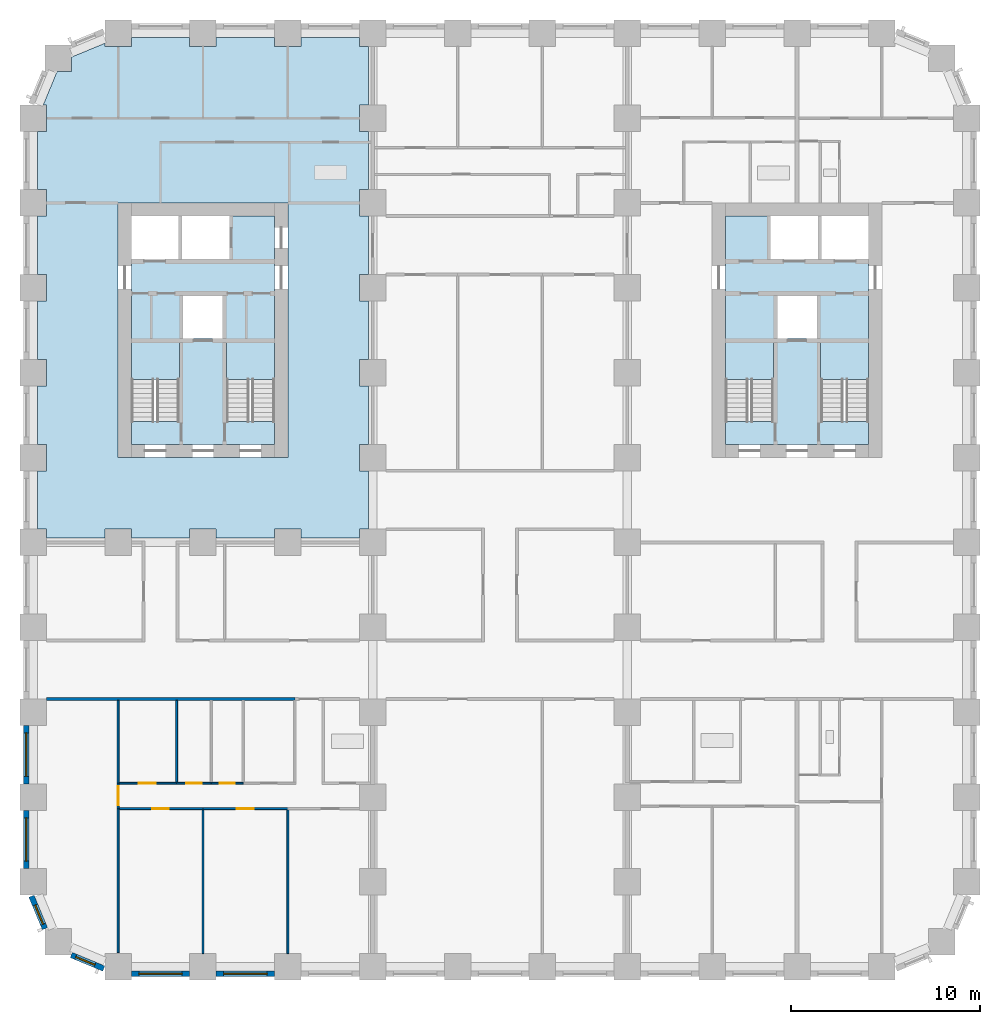
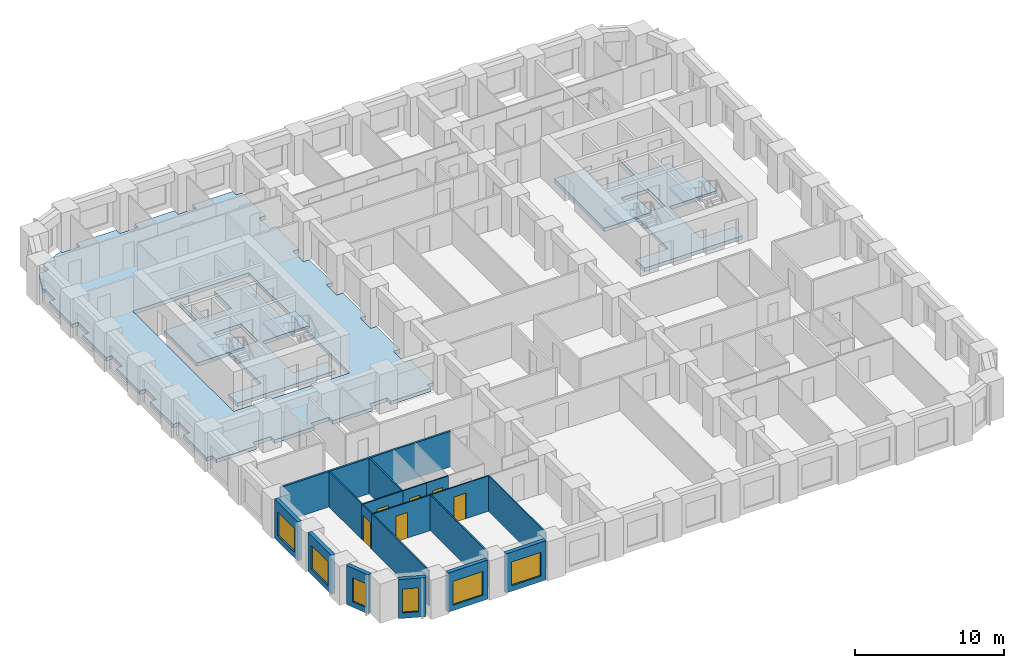
# One storey, part 2 of 13: 18 walls, 7 slabs, 6 doors, 6 windows, 12 openings, 4 elements without a shape of their own.
"""IFC4 building model written with IfcOpenShell, lengths in metres."""

from ifc_helpers import new_model, si_unit, direction, frame, frame_2d, origin, place, context, subcontext, project, spatial, polyline, rectangle, outline, extrude, material, layer, layer_set, type_object, element, fill, aggregate, save


model = new_model("IFC4")

# Units and contexts
model_context = context("Model", 3, precision=1e-05, world=origin(), true_north=direction((0.0, 1.0)))
body_context = subcontext(model_context, "Body", "Model", "MODEL_VIEW")
ifc_project = project(units=[si_unit("LENGTHUNIT", "METRE"), si_unit("AREAUNIT", "SQUARE_METRE"), si_unit("VOLUMEUNIT", "CUBIC_METRE"), si_unit("PLANEANGLEUNIT", "RADIAN"), si_unit("MASSUNIT", "GRAM", prefix="KILO")], contexts=[model_context])

# Site, building, storey
site_placement = place(None, origin())
site = spatial("IfcSite", under=ifc_project, at=site_placement, CompositionType="ELEMENT")
building_placement = place(site_placement, origin())
building = spatial("IfcBuilding", under=site, at=building_placement, Name="Girih Gate Residences", CompositionType="ELEMENT")
storey_placement = place(building_placement, frame((0.0, 0.0, 46.39990234375)))
storey = spatial("IfcBuildingStorey", under=building, at=storey_placement, Name="L11", CompositionType="ELEMENT", Elevation=46.39990234375)

# Slabs
ifc_material_1 = material(Name="Concrete C40/50", Category="concrete")
ifc_layer_1 = layer(ifc_material_1, 0.300048828125)
ifc_layer_set_1 = layer_set([ifc_layer_1], Name="Core floor slab 300")
slab_type_1 = type_object("IfcSlabType", Name="Core floor slab 300", PredefinedType="FLOOR", material=ifc_layer_set_1)
slab_1_placement = place(storey_placement, frame((0.0, 0.0, -0.2998046875)))
element("IfcSlab", 1, at=slab_1_placement, inside=storey, type_object=slab_type_1, Name="L11 W core floor", PredefinedType="FLOOR", context=body_context, shape_type="SweptSolid", body=[
    extrude(outline(polyline([(12.800048828125, 27.699951171875), (5.199951171875, 27.699951171875), (5.199951171875, 28.900634765625), (7.75, 28.900634765625), (7.75, 33.10009765625), (5.199951171875, 33.10009765625), (5.199951171875, 37.5), (7.699951171875, 37.5), (7.699951171875, 39.800048828125), (7.89990234375, 39.800048828125), (7.89990234375, 37.5), (10.39990234375, 37.5), (10.39990234375, 39.800048828125), (12.800048828125, 39.800048828125), (12.800048828125, 33.10009765625), (10.25, 33.10009765625), (10.25, 28.900634765625), (12.800048828125, 28.900634765625), (12.800048828125, 27.699951171875)]), holes=[polyline([(7.949951171875, 33.300048828125), (10.050048828125, 33.300048828125), (10.050048828125, 35.60009765625), (7.949951171875, 35.60009765625), (7.949951171875, 33.300048828125)])]), origin(), (0.0, 0.0, 1.0), 0.2998046875),
])
slab_2_placement = place(storey_placement, frame((0.0, 0.0, -0.2998046875)))
element("IfcSlab", 2, at=slab_2_placement, inside=storey, type_object=slab_type_1, Name="L11 E core floor", PredefinedType="FLOOR", context=body_context, shape_type="SweptSolid", body=[
    extrude(outline(polyline([(44.300048828125, 27.699951171875), (36.699951171875, 27.699951171875), (36.699951171875, 28.900634765625), (39.25, 28.900634765625), (39.25, 33.10009765625), (36.699951171875, 33.10009765625), (36.699951171875, 39.800048828125), (39.10009765625, 39.800048828125), (39.10009765625, 37.5), (41.60009765625, 37.5), (41.60009765625, 39.800048828125), (41.800048828125, 39.800048828125), (41.800048828125, 37.5), (44.300048828125, 37.5), (44.300048828125, 33.10009765625), (41.75, 33.10009765625), (41.75, 28.900634765625), (44.300048828125, 28.900634765625), (44.300048828125, 27.699951171875)]), holes=[polyline([(39.449951171875, 33.300048828125), (41.550048828125, 33.300048828125), (41.550048828125, 35.60009765625), (39.449951171875, 35.60009765625), (39.449951171875, 33.300048828125)])]), origin(), (0.0, 0.0, 1.0), 0.2998046875),
])
ifc_layer_2 = layer(ifc_material_1, 0.300048828125)
ifc_layer_set_2 = layer_set([ifc_layer_2], Name="Floor slab PT 300 Concrete C40/50")
slab_type_2 = type_object("IfcSlabType", Name="Floor slab PT 300 Concrete C40/50", PredefinedType="FLOOR", material=ifc_layer_set_2)
slab_3_placement = place(storey_placement, frame((0.0, 0.0, -0.2998046875)))
element("IfcSlab", 3, at=slab_3_placement, inside=storey, type_object=slab_type_2, Name="Floor slab L11 3", PredefinedType="FLOOR", context=body_context, shape_type="SweptSolid", body=[
    extrude(outline(polyline([(0.22509765625, 26.300048828125), (0.22509765625, 23.199951171875), (0.699951171875, 23.199951171875), (0.699951171875, 22.72509765625), (3.800048828125, 22.72509765625), (3.800048828125, 23.199951171875), (5.199951171875, 23.199951171875), (5.199951171875, 22.72509765625), (8.300048828125, 22.72509765625), (8.300048828125, 23.199951171875), (9.699951171875, 23.199951171875), (9.699951171875, 22.72509765625), (12.800048828125, 22.72509765625), (12.800048828125, 23.199951171875), (14.199951171875, 23.199951171875), (14.199951171875, 22.72509765625), (17.300048828125, 22.72509765625), (17.300048828125, 23.199951171875), (17.77490234375, 23.199951171875), (17.77490234375, 26.300048828125), (17.300048828125, 26.300048828125), (17.300048828125, 27.699951171875), (17.77490234375, 27.699951171875), (17.77490234375, 30.800048828125), (17.300048828125, 30.800048828125), (17.300048828125, 32.199951171875), (17.77490234375, 32.199951171875), (17.77490234375, 35.300048828125), (17.300048828125, 35.300048828125), (17.300048828125, 36.699951171875), (17.77490234375, 36.699951171875), (17.77490234375, 39.800048828125), (17.300048828125, 39.800048828125), (17.300048828125, 41.199951171875), (17.77490234375, 41.199951171875), (17.77490234375, 44.300048828125), (17.300048828125, 44.300048828125), (17.300048828125, 45.699951171875), (17.77490234375, 45.699951171875), (17.77490234375, 48.800048828125), (17.300048828125, 48.800048828125), (17.300048828125, 49.27490234375), (14.199951171875, 49.27490234375), (14.199951171875, 48.800048828125), (12.800048828125, 48.800048828125), (12.800048828125, 49.27490234375), (9.699951171875, 49.27490234375), (9.699951171875, 48.800048828125), (8.300048828125, 48.800048828125), (8.300048828125, 49.27490234375), (5.199951171875, 49.27490234375), (5.199951171875, 48.800048828125), (3.800048828125, 48.800048828125), (3.800048828125, 48.966552734375), (2.01806640625, 48.228271484375), (2.01806640625, 47.48193359375), (1.271728515625, 47.48193359375), (0.533447265625, 45.699951171875), (0.699951171875, 45.699951171875), (0.699951171875, 44.300048828125), (0.22509765625, 44.300048828125), (0.22509765625, 41.199951171875), (0.699951171875, 41.199951171875), (0.699951171875, 39.800048828125), (0.22509765625, 39.800048828125), (0.22509765625, 36.699951171875), (0.699951171875, 36.699951171875), (0.699951171875, 35.300048828125), (0.22509765625, 35.300048828125), (0.22509765625, 32.199951171875), (0.699951171875, 32.199951171875), (0.699951171875, 30.800048828125), (0.22509765625, 30.800048828125), (0.22509765625, 27.699951171875), (0.699951171875, 27.699951171875), (0.699951171875, 26.300048828125), (0.22509765625, 26.300048828125)]), holes=[polyline([(13.5, 40.5), (13.5, 27.0), (4.5, 27.0), (4.5, 40.5), (13.5, 40.5)])]), origin(), (0.0, 0.0, 1.0), 0.2998046875),
])

# Stair, slab
stair_type = type_object("IfcStairType", Name="Exit stair", PredefinedType="HALF_TURN_STAIR", material=ifc_material_1)
stair_1_placement = place(storey_placement, origin())
stair_1 = element("IfcStair", 4, at=stair_1_placement, inside=storey, type_object=stair_type, Name="L11 Exit Stair ST-W1", PredefinedType="HALF_TURN_STAIR")
ifc_layer_3 = layer(ifc_material_1, 0.199951171875)
ifc_layer_set_3 = layer_set([ifc_layer_3], Name="Stair landing 200")
slab_type_3 = type_object("IfcSlabType", Name="Stair landing 200", PredefinedType="LANDING", material=ifc_layer_set_3)
slab_4_placement = place(storey_placement, frame((0.0, 0.0, 1.400146484375)))
slab_4 = element("IfcSlab", 5, at=slab_4_placement, type_object=slab_type_3, Name="ST-W1 landing 1", PredefinedType="LANDING", context=body_context, shape_type="SweptSolid", body=[
    extrude(outline(polyline([(7.75, 31.14990234375), (7.75, 33.10009765625), (5.199951171875, 33.10009765625), (5.199951171875, 31.14990234375), (7.75, 31.14990234375)])), origin(), (0.0, 0.0, 1.0), 0.199951171875),
])
aggregate(stair_1, [slab_4])

stair_2_placement = place(storey_placement, origin())
stair_2 = element("IfcStair", 6, at=stair_2_placement, inside=storey, type_object=stair_type, Name="L11 Exit Stair ST-W2", PredefinedType="HALF_TURN_STAIR")
slab_5_placement = place(storey_placement, frame((0.0, 0.0, 1.400146484375)))
slab_5 = element("IfcSlab", 7, at=slab_5_placement, type_object=slab_type_3, Name="ST-W2 landing 1", PredefinedType="LANDING", context=body_context, shape_type="SweptSolid", body=[
    extrude(outline(polyline([(12.800048828125, 31.14990234375), (12.800048828125, 33.10009765625), (10.25, 33.10009765625), (10.25, 31.14990234375), (12.800048828125, 31.14990234375)])), origin(), (0.0, 0.0, 1.0), 0.199951171875),
])
aggregate(stair_2, [slab_5])

stair_3_placement = place(storey_placement, origin())
stair_3 = element("IfcStair", 8, at=stair_3_placement, inside=storey, type_object=stair_type, Name="L11 Exit Stair ST-E1", PredefinedType="HALF_TURN_STAIR")
slab_6_placement = place(storey_placement, frame((0.0, 0.0, 1.400146484375)))
slab_6 = element("IfcSlab", 9, at=slab_6_placement, type_object=slab_type_3, Name="ST-E1 landing 1", PredefinedType="LANDING", context=body_context, shape_type="SweptSolid", body=[
    extrude(outline(polyline([(44.300048828125, 31.14990234375), (44.300048828125, 33.10009765625), (41.75, 33.10009765625), (41.75, 31.14990234375), (44.300048828125, 31.14990234375)])), origin(), (0.0, 0.0, 1.0), 0.199951171875),
])
aggregate(stair_3, [slab_6])

stair_4_placement = place(storey_placement, origin())
stair_4 = element("IfcStair", 10, at=stair_4_placement, inside=storey, type_object=stair_type, Name="L11 Exit Stair ST-E2", PredefinedType="HALF_TURN_STAIR")
slab_7_placement = place(storey_placement, frame((0.0, 0.0, 1.400146484375)))
slab_7 = element("IfcSlab", 11, at=slab_7_placement, type_object=slab_type_3, Name="ST-E2 landing 1", PredefinedType="LANDING", context=body_context, shape_type="SweptSolid", body=[
    extrude(outline(polyline([(39.25, 31.14990234375), (39.25, 33.10009765625), (36.699951171875, 33.10009765625), (36.699951171875, 31.14990234375), (39.25, 31.14990234375)])), origin(), (0.0, 0.0, 1.0), 0.199951171875),
])
aggregate(stair_4, [slab_7])

# Walls
ifc_material_2 = material(Name="Gypsum board on steel studs", Category="steel")
ifc_layer_4 = layer(ifc_material_2, 0.14990234375)
ifc_layer_set_4 = layer_set([ifc_layer_4], Name="Compartment wall 150 mm")
wall_type_1 = type_object("IfcWallType", Name="Compartment wall 150 mm", PredefinedType="PARTITIONING", material=ifc_layer_set_4)
wall_1_placement = place(storey_placement, frame((0.699951171875, 14.199951171875, 0.0), z_axis=(0.0, 0.0, 1.0), x_axis=(1.0, 0.0, 0.0)))
element("IfcWall", 12, at=wall_1_placement, inside=storey, type_object=wall_type_1, Name="L11 partition", PredefinedType="PARTITIONING", context=body_context, shape_type="SweptSolid", body=[
    extrude(rectangle(XDim=13.175048828125, YDim=0.14990234375, at=frame_2d((6.58740234375, 0.0))), origin(), (0.0, 0.0, 1.0), 2.900146484375),
])
ifc_layer_5 = layer(ifc_material_2, 0.10009765625)
ifc_layer_set_5 = layer_set([ifc_layer_5], Name="Partition 100 mm")
wall_type_2 = type_object("IfcWallType", Name="Partition 100 mm", PredefinedType="PARTITIONING", material=ifc_layer_set_5)
wall_2_placement = place(storey_placement, frame((9.0, 0.699951171875, 0.0), z_axis=(0.0, 0.0, 1.0), x_axis=(0.0, 1.0, 0.0)))
element("IfcWall", 13, at=wall_2_placement, inside=storey, type_object=wall_type_2, Name="L11 partition", PredefinedType="PARTITIONING", context=body_context, shape_type="SweptSolid", body=[
    extrude(rectangle(XDim=7.64013671875, YDim=0.10009765625, at=frame_2d((3.820068359375, 0.0))), origin(), (0.0, 0.0, 1.0), 2.900146484375),
])

# Wall, opening, door
wall_3_placement = place(storey_placement, frame((9.0, 8.389892578125, 0.0), z_axis=(0.0, 0.0, 1.0), x_axis=(-1.0, 0.0, 0.0)))
wall_3 = element("IfcWall", 14, at=wall_3_placement, inside=storey, type_object=wall_type_2, Name="L11 partition", PredefinedType="PARTITIONING", context=body_context, shape_type="SweptSolid", body=[
    extrude(rectangle(XDim=4.449951171875, YDim=0.10009765625, at=frame_2d((2.22509765625, 0.0))), origin(), (0.0, 0.0, 1.0), 2.900146484375),
])
opening_1_placement = place(wall_3_placement, frame((1.800048828125, 0.0, 0.0)))
opening_1 = element("IfcOpeningElement", 15, at=opening_1_placement, cuts=wall_3, Name="Opening A11-002", PredefinedType="OPENING", context=body_context, shape_type="SweptSolid", body=[
    extrude(rectangle(XDim=0.89990234375, YDim=2.10009765625, at=frame_2d((0.449951171875, 1.050048828125))), frame((0.0, 0.06005859375, 0.0), z_axis=(0.0, -1.0, 0.0), x_axis=(1.0, 0.0, 0.0)), (0.0, 0.0, 1.0), 0.1201171875),
])
ifc_material_3 = material(Name="Timber", Category="wood")
door_type_1 = type_object("IfcDoorType", Name="Bedroom door 900x2100", OperationType="NOTDEFINED", PredefinedType="DOOR", material=ifc_material_3)
door_1_placement = place(opening_1_placement, origin())
door_1 = element("IfcDoor", 16, at=door_1_placement, inside=storey, type_object=door_type_1, Name="Door A11-002", OperationType="SINGLE_SWING_RIGHT", OverallHeight=2.10009765625, OverallWidth=0.89990234375, PredefinedType="DOOR", context=body_context, shape_type="SweptSolid", body=[
    extrude(rectangle(XDim=0.89990234375, YDim=2.10009765625, at=frame_2d((0.449951171875, 1.050048828125))), frame((0.0, 0.02490234375, 0.0), z_axis=(0.0, -1.0, 0.0), x_axis=(1.0, 0.0, 0.0)), (0.0, 0.0, 1.0), 0.050048828125),
])
fill(opening_1, door_1)

# Walls
wall_4_placement = place(storey_placement, frame((4.5, 0.757568359375, 0.0), z_axis=(0.0, 0.0, 1.0), x_axis=(0.0, 1.0, 0.0)))
element("IfcWall", 17, at=wall_4_placement, inside=storey, type_object=wall_type_2, Name="L11 partition", PredefinedType="PARTITIONING", context=body_context, shape_type="SweptSolid", body=[
    extrude(rectangle(XDim=7.63232421875, YDim=0.10009765625, at=frame_2d((3.816162109375, 0.0))), origin(), (0.0, 0.0, 1.0), 2.900146484375),
])
wall_5_placement = place(storey_placement, frame((13.5, 0.699951171875, 0.0), z_axis=(0.0, 0.0, 1.0), x_axis=(0.0, 1.0, 0.0)))
element("IfcWall", 18, at=wall_5_placement, inside=storey, type_object=wall_type_2, Name="L11 partition", PredefinedType="PARTITIONING", context=body_context, shape_type="SweptSolid", body=[
    extrude(rectangle(XDim=7.64013671875, YDim=0.10009765625, at=frame_2d((3.820068359375, 0.0))), origin(), (0.0, 0.0, 1.0), 2.900146484375),
])

# Wall, opening, door
wall_6_placement = place(storey_placement, frame((13.5, 8.389892578125, 0.0), z_axis=(0.0, 0.0, 1.0), x_axis=(-1.0, 0.0, 0.0)))
wall_6 = element("IfcWall", 19, at=wall_6_placement, inside=storey, type_object=wall_type_2, Name="L11 partition", PredefinedType="PARTITIONING", context=body_context, shape_type="SweptSolid", body=[
    extrude(rectangle(XDim=4.5, YDim=0.10009765625, at=frame_2d((2.25, 0.0))), origin(), (0.0, 0.0, 1.0), 2.900146484375),
])
opening_2_placement = place(wall_6_placement, frame((1.800048828125, 0.0, 0.0)))
opening_2 = element("IfcOpeningElement", 20, at=opening_2_placement, cuts=wall_6, Name="Opening A11-003", PredefinedType="OPENING", context=body_context, shape_type="SweptSolid", body=[
    extrude(rectangle(XDim=0.89990234375, YDim=2.10009765625, at=frame_2d((0.449951171875, 1.050048828125))), frame((0.0, 0.06005859375, 0.0), z_axis=(0.0, -1.0, 0.0), x_axis=(1.0, 0.0, 0.0)), (0.0, 0.0, 1.0), 0.1201171875),
])
door_2_placement = place(opening_2_placement, origin())
door_2 = element("IfcDoor", 21, at=door_2_placement, inside=storey, type_object=door_type_1, Name="Door A11-003", OperationType="SINGLE_SWING_LEFT", OverallHeight=2.10009765625, OverallWidth=0.89990234375, PredefinedType="DOOR", context=body_context, shape_type="SweptSolid", body=[
    extrude(rectangle(XDim=0.89990234375, YDim=2.10009765625, at=frame_2d((0.449951171875, 1.050048828125))), frame((0.0, 0.02490234375, 0.0), z_axis=(0.0, -1.0, 0.0), x_axis=(1.0, 0.0, 0.0)), (0.0, 0.0, 1.0), 0.050048828125),
])
fill(opening_2, door_2)

wall_7_placement = place(storey_placement, frame((4.550048828125, 9.72998046875, 0.0), z_axis=(0.0, 0.0, 1.0), x_axis=(1.0, 0.0, 0.0)))
wall_7 = element("IfcWall", 22, at=wall_7_placement, inside=storey, type_object=wall_type_2, Name="L11 partition", PredefinedType="PARTITIONING", context=body_context, shape_type="SweptSolid", body=[
    extrude(rectangle(XDim=3.056640625, YDim=0.10009765625, at=frame_2d((1.5283203125, 0.0))), origin(), (0.0, 0.0, 1.0), 2.900146484375),
])
opening_3_placement = place(wall_7_placement, frame((1.05322265625, 0.0, 0.0)))
opening_3 = element("IfcOpeningElement", 23, at=opening_3_placement, cuts=wall_7, Name="Opening A11-006", PredefinedType="OPENING", context=body_context, shape_type="SweptSolid", body=[
    extrude(rectangle(XDim=0.89990234375, YDim=2.10009765625, at=frame_2d((0.449951171875, 1.050048828125))), frame((0.0, 0.06005859375, 0.0), z_axis=(0.0, -1.0, 0.0), x_axis=(1.0, 0.0, 0.0)), (0.0, 0.0, 1.0), 0.1201171875),
])
door_type_2 = type_object("IfcDoorType", Name="Kitchen door 900x2100", OperationType="NOTDEFINED", PredefinedType="DOOR", material=ifc_material_3)
door_3_placement = place(opening_3_placement, origin())
door_3 = element("IfcDoor", 24, at=door_3_placement, inside=storey, type_object=door_type_2, Name="Door A11-006", OperationType="SINGLE_SWING_LEFT", OverallHeight=2.10009765625, OverallWidth=0.89990234375, PredefinedType="DOOR", context=body_context, shape_type="SweptSolid", body=[
    extrude(rectangle(XDim=0.89990234375, YDim=2.10009765625, at=frame_2d((0.449951171875, 1.050048828125))), frame((0.0, 0.02490234375, 0.0), z_axis=(0.0, -1.0, 0.0), x_axis=(1.0, 0.0, 0.0)), (0.0, 0.0, 1.0), 0.050048828125),
])
fill(opening_3, door_3)

wall_8_placement = place(storey_placement, frame((4.5, 8.389892578125, 0.0), z_axis=(0.0, 0.0, 1.0), x_axis=(0.0, 1.0, 0.0)))
wall_8 = element("IfcWall", 25, at=wall_8_placement, inside=storey, type_object=wall_type_2, Name="L11 partition", PredefinedType="PARTITIONING", context=body_context, shape_type="SweptSolid", body=[
    extrude(rectangle(XDim=1.340087890625, YDim=0.10009765625, at=frame_2d((0.669921875, 0.0))), origin(), (0.0, 0.0, 1.0), 2.900146484375),
])
opening_4_placement = place(wall_8_placement, frame((0.169921875, 0.0, 0.0)))
opening_4 = element("IfcOpeningElement", 26, at=opening_4_placement, cuts=wall_8, Name="Opening A11-007", PredefinedType="OPENING", context=body_context, shape_type="SweptSolid", body=[
    extrude(rectangle(XDim=1.0, YDim=2.10009765625, at=frame_2d((0.5, 1.050048828125))), frame((0.0, 0.06005859375, 0.0), z_axis=(0.0, -1.0, 0.0), x_axis=(1.0, 0.0, 0.0)), (0.0, 0.0, 1.0), 0.1201171875),
])
door_type_3 = type_object("IfcDoorType", Name="Living room door 1000x2100", OperationType="NOTDEFINED", PredefinedType="DOOR", material=ifc_material_3)
door_4_placement = place(opening_4_placement, origin())
door_4 = element("IfcDoor", 27, at=door_4_placement, inside=storey, type_object=door_type_3, Name="Door A11-007", OperationType="SINGLE_SWING_RIGHT", OverallHeight=2.10009765625, OverallWidth=1.0, PredefinedType="DOOR", context=body_context, shape_type="SweptSolid", body=[
    extrude(rectangle(XDim=1.0, YDim=2.10009765625, at=frame_2d((0.5, 1.050048828125))), frame((0.0, 0.02490234375, 0.0), z_axis=(0.0, -1.0, 0.0), x_axis=(1.0, 0.0, 0.0)), (0.0, 0.0, 1.0), 0.050048828125),
])
fill(opening_4, door_4)

wall_9_placement = place(storey_placement, frame((9.4423828125, 9.72998046875, 0.0), z_axis=(0.0, 0.0, 1.0), x_axis=(1.0, 0.0, 0.0)))
wall_9 = element("IfcWall", 28, at=wall_9_placement, inside=storey, type_object=wall_type_2, Name="L11 partition", PredefinedType="PARTITIONING", context=body_context, shape_type="SweptSolid", body=[
    extrude(rectangle(XDim=1.689453125, YDim=0.10009765625, at=frame_2d((0.8447265625, 0.0))), origin(), (0.0, 0.0, 1.0), 2.900146484375),
])
opening_5_placement = place(wall_9_placement, frame((0.44482421875, 0.0, 0.0)))
opening_5 = element("IfcOpeningElement", 29, at=opening_5_placement, cuts=wall_9, Name="Opening A11-008", PredefinedType="OPENING", context=body_context, shape_type="SweptSolid", body=[
    extrude(rectangle(XDim=0.800048828125, YDim=2.10009765625, at=frame_2d((0.39990234375, 1.050048828125))), frame((0.0, 0.06005859375, 0.0), z_axis=(0.0, -1.0, 0.0), x_axis=(1.0, 0.0, 0.0)), (0.0, 0.0, 1.0), 0.1201171875),
])
door_type_4 = type_object("IfcDoorType", Name="Store door 800x2100", OperationType="NOTDEFINED", PredefinedType="DOOR", material=ifc_material_3)
door_5_placement = place(opening_5_placement, origin())
door_5 = element("IfcDoor", 30, at=door_5_placement, inside=storey, type_object=door_type_4, Name="Door A11-008", OperationType="SINGLE_SWING_LEFT", OverallHeight=2.10009765625, OverallWidth=0.800048828125, PredefinedType="DOOR", context=body_context, shape_type="SweptSolid", body=[
    extrude(rectangle(XDim=0.800048828125, YDim=2.10009765625, at=frame_2d((0.39990234375, 1.050048828125))), frame((0.0, 0.02490234375, 0.0), z_axis=(0.0, -1.0, 0.0), x_axis=(1.0, 0.0, 0.0)), (0.0, 0.0, 1.0), 0.050048828125),
])
fill(opening_5, door_5)

wall_10_placement = place(storey_placement, frame((7.606689453125, 9.72998046875, 0.0), z_axis=(0.0, 0.0, 1.0), x_axis=(1.0, 0.0, 0.0)))
wall_10 = element("IfcWall", 31, at=wall_10_placement, inside=storey, type_object=wall_type_2, Name="L11 partition", PredefinedType="PARTITIONING", context=body_context, shape_type="SweptSolid", body=[
    extrude(rectangle(XDim=1.835693359375, YDim=0.10009765625, at=frame_2d((0.91796875, 0.0))), origin(), (0.0, 0.0, 1.0), 2.900146484375),
])
opening_6_placement = place(wall_10_placement, frame((0.517822265625, 0.0, 0.0)))
opening_6 = element("IfcOpeningElement", 32, at=opening_6_placement, cuts=wall_10, Name="Opening A11-009", PredefinedType="OPENING", context=body_context, shape_type="SweptSolid", body=[
    extrude(rectangle(XDim=0.800048828125, YDim=2.10009765625, at=frame_2d((0.39990234375, 1.050048828125))), frame((0.0, 0.06005859375, 0.0), z_axis=(0.0, -1.0, 0.0), x_axis=(1.0, 0.0, 0.0)), (0.0, 0.0, 1.0), 0.1201171875),
])
door_6_placement = place(opening_6_placement, origin())
door_6 = element("IfcDoor", 33, at=door_6_placement, inside=storey, type_object=door_type_4, Name="Door A11-009", OperationType="SINGLE_SWING_RIGHT", OverallHeight=2.10009765625, OverallWidth=0.800048828125, PredefinedType="DOOR", context=body_context, shape_type="SweptSolid", body=[
    extrude(rectangle(XDim=0.800048828125, YDim=2.10009765625, at=frame_2d((0.39990234375, 1.050048828125))), frame((0.0, 0.02490234375, 0.0), z_axis=(0.0, -1.0, 0.0), x_axis=(1.0, 0.0, 0.0)), (0.0, 0.0, 1.0), 0.050048828125),
])
fill(opening_6, door_6)

# Walls
wall_11_placement = place(storey_placement, frame((4.5, 9.72998046875, 0.0), z_axis=(0.0, 0.0, 1.0), x_axis=(0.0, 1.0, 0.0)))
element("IfcWall", 34, at=wall_11_placement, inside=storey, type_object=wall_type_2, Name="L11 partition", PredefinedType="PARTITIONING", context=body_context, shape_type="SweptSolid", body=[
    extrude(rectangle(XDim=4.39501953125, YDim=0.10009765625, at=frame_2d((2.197509765625, 0.0))), origin(), (0.0, 0.0, 1.0), 2.900146484375),
])
wall_12_placement = place(storey_placement, frame((7.60693359375, 9.780029296875, 0.0), z_axis=(0.0, 0.0, 1.0), x_axis=(0.0, 1.0, 0.0)))
element("IfcWall", 35, at=wall_12_placement, inside=storey, type_object=wall_type_2, Name="L11 partition", PredefinedType="PARTITIONING", context=body_context, shape_type="SweptSolid", body=[
    extrude(rectangle(XDim=4.344970703125, YDim=0.10009765625, at=frame_2d((2.17236328125, 0.0))), origin(), (0.0, 0.0, 1.0), 2.900146484375),
])

# Wall, opening, window
ifc_material_4 = material(Name="Precast concrete C50/60", Category="concrete")
ifc_layer_6 = layer(ifc_material_4, 0.080078125, Name="Outer leaf")
ifc_material_5 = material(Name="Rigid PIR insulation")
ifc_layer_7 = layer(ifc_material_5, 0.14990234375, Name="Insulation")
ifc_material_6 = material(Name="Precast concrete C40/50", Category="concrete")
ifc_layer_8 = layer(ifc_material_6, 0.070068359375, Name="Inner leaf")
ifc_layer_set_6 = layer_set([ifc_layer_6, ifc_layer_7, ifc_layer_8], Name="Precast concrete C50/60 external wall 300")
wall_type_3 = type_object("IfcWallType", Name="Precast concrete C50/60 external wall 300", PredefinedType="SOLIDWALL", material=ifc_layer_set_6)
wall_13_placement = place(storey_placement, frame((0.62158203125, 2.01953125, 0.0), z_axis=(0.0, 0.0, 1.0), x_axis=(-0.38262540684, 0.923903565336, 0.0)))
wall_13 = element("IfcWall", 36, at=wall_13_placement, inside=storey, type_object=wall_type_3, Name="External wall SW0000_0045.0", PredefinedType="SOLIDWALL", context=body_context, shape_type="SweptSolid", body=[
    extrude(rectangle(XDim=1.864990234375, YDim=0.300048828125, at=frame_2d((0.9326171875, 0.0))), origin(), (0.0, 0.0, 1.0), 3.2001953125),
])
opening_7_placement = place(wall_13_placement, frame((0.257568359375, 0.0, 0.449951171875)))
opening_7 = element("IfcOpeningElement", 37, at=opening_7_placement, cuts=wall_13, Name="Opening W-2C", PredefinedType="OPENING", context=body_context, shape_type="SweptSolid", body=[
    extrude(rectangle(XDim=1.10009765625, YDim=1.949951171875, at=frame_2d((0.550048828125, 0.97509765625))), frame((0.0, 0.159912109375, 0.0), z_axis=(0.0, -1.0, 0.0), x_axis=(1.0, 0.0, 0.0)), (0.0, 0.0, 1.0), 0.320068359375),
])
ifc_material_7 = material(Name="Double glazing in aluminium frame", Category="aluminium")
window_type_1 = type_object("IfcWindowType", Name="Window W-2C 1100x1950", PartitioningType="SINGLE_PANEL", PredefinedType="WINDOW", material=ifc_material_7)
window_1_placement = place(opening_7_placement, origin())
window_1 = element("IfcWindow", 38, at=window_1_placement, inside=storey, type_object=window_type_1, Name="Window W-2C SW0000_0045.0", OverallHeight=1.949951171875, OverallWidth=1.10009765625, PartitioningType="SINGLE_PANEL", PredefinedType="WINDOW", context=body_context, shape_type="SweptSolid", body=[
    extrude(rectangle(XDim=1.10009765625, YDim=1.949951171875, at=frame_2d((0.550048828125, 0.97509765625))), frame((0.0, 0.030029296875, 0.0), z_axis=(0.0, -1.0, 0.0), x_axis=(1.0, 0.0, 0.0)), (0.0, 0.0, 1.0), 0.06005859375),
])
fill(opening_7, window_1)

wall_14_placement = place(storey_placement, frame((3.74267578125, -0.09228515625, 0.0), z_axis=(0.0, 0.0, 1.0), x_axis=(-0.923857286003, 0.382737135771, 0.0)))
wall_14 = element("IfcWall", 39, at=wall_14_placement, inside=storey, type_object=wall_type_3, Name="External wall SW0013_0013.0", PredefinedType="SOLIDWALL", context=body_context, shape_type="SweptSolid", body=[
    extrude(rectangle(XDim=1.865234375, YDim=0.300048828125, at=frame_2d((0.9326171875, 0.0))), origin(), (0.0, 0.0, 1.0), 3.2001953125),
])
opening_8_placement = place(wall_14_placement, frame((0.507568359375, 0.0, 0.449951171875)))
opening_8 = element("IfcOpeningElement", 40, at=opening_8_placement, cuts=wall_14, Name="Opening W-2C", PredefinedType="OPENING", context=body_context, shape_type="SweptSolid", body=[
    extrude(rectangle(XDim=1.10009765625, YDim=1.949951171875, at=frame_2d((0.550048828125, 0.97509765625))), frame((0.0, 0.159912109375, 0.0), z_axis=(0.0, -1.0, 0.0), x_axis=(1.0, 0.0, 0.0)), (0.0, 0.0, 1.0), 0.320068359375),
])
window_2_placement = place(opening_8_placement, origin())
window_2 = element("IfcWindow", 41, at=window_2_placement, inside=storey, type_object=window_type_1, Name="Window W-2C SW0013_0013.0", OverallHeight=1.949951171875, OverallWidth=1.10009765625, PartitioningType="SINGLE_PANEL", PredefinedType="WINDOW", context=body_context, shape_type="SweptSolid", body=[
    extrude(rectangle(XDim=1.10009765625, YDim=1.949951171875, at=frame_2d((0.550048828125, 0.97509765625))), frame((0.0, 0.030029296875, 0.0), z_axis=(0.0, -1.0, 0.0), x_axis=(1.0, 0.0, 0.0)), (0.0, 0.0, 1.0), 0.06005859375),
])
fill(opening_8, window_2)

wall_15_placement = place(storey_placement, frame((8.300048828125, -0.375, 0.0), z_axis=(0.0, 0.0, 1.0), x_axis=(-1.0, 0.0, 0.0)))
wall_15 = element("IfcWall", 42, at=wall_15_placement, inside=storey, type_object=wall_type_3, Name="External wall S0045_0000.0", PredefinedType="SOLIDWALL", context=body_context, shape_type="SweptSolid", body=[
    extrude(rectangle(XDim=3.10009765625, YDim=0.300048828125, at=frame_2d((1.550048828125, 0.0))), origin(), (0.0, 0.0, 1.0), 3.2001953125),
])
opening_9_placement = place(wall_15_placement, frame((0.39990234375, 0.0, 0.449951171875)))
opening_9 = element("IfcOpeningElement", 43, at=opening_9_placement, cuts=wall_15, Name="Opening W-1", PredefinedType="OPENING", context=body_context, shape_type="SweptSolid", body=[
    extrude(rectangle(XDim=2.300048828125, YDim=1.949951171875, at=frame_2d((1.14990234375, 0.97509765625))), frame((0.0, 0.159912109375, 0.0), z_axis=(0.0, -1.0, 0.0), x_axis=(1.0, 0.0, 0.0)), (0.0, 0.0, 1.0), 0.320068359375),
])
window_type_2 = type_object("IfcWindowType", Name="Window W-1 2300x1950", PartitioningType="SINGLE_PANEL", PredefinedType="WINDOW", material=ifc_material_7)
window_3_placement = place(opening_9_placement, origin())
window_3 = element("IfcWindow", 44, at=window_3_placement, inside=storey, type_object=window_type_2, Name="Window W-1 S0045_0000.0", OverallHeight=1.949951171875, OverallWidth=2.300048828125, PartitioningType="SINGLE_PANEL", PredefinedType="WINDOW", context=body_context, shape_type="SweptSolid", body=[
    extrude(rectangle(XDim=2.300048828125, YDim=1.949951171875, at=frame_2d((1.14990234375, 0.97509765625))), frame((0.0, 0.030029296875, 0.0), z_axis=(0.0, -1.0, 0.0), x_axis=(1.0, 0.0, 0.0)), (0.0, 0.0, 1.0), 0.06005859375),
])
fill(opening_9, window_3)

wall_16_placement = place(storey_placement, frame((12.800048828125, -0.375, 0.0), z_axis=(0.0, 0.0, 1.0), x_axis=(-1.0, 0.0, 0.0)))
wall_16 = element("IfcWall", 45, at=wall_16_placement, inside=storey, type_object=wall_type_3, Name="External wall S0045_0000.1", PredefinedType="SOLIDWALL", context=body_context, shape_type="SweptSolid", body=[
    extrude(rectangle(XDim=3.10009765625, YDim=0.300048828125, at=frame_2d((1.550048828125, 0.0))), origin(), (0.0, 0.0, 1.0), 3.2001953125),
])
opening_10_placement = place(wall_16_placement, frame((0.39990234375, 0.0, 0.449951171875)))
opening_10 = element("IfcOpeningElement", 46, at=opening_10_placement, cuts=wall_16, Name="Opening W-1", PredefinedType="OPENING", context=body_context, shape_type="SweptSolid", body=[
    extrude(rectangle(XDim=2.300048828125, YDim=1.949951171875, at=frame_2d((1.14990234375, 0.97509765625))), frame((0.0, 0.159912109375, 0.0), z_axis=(0.0, -1.0, 0.0), x_axis=(1.0, 0.0, 0.0)), (0.0, 0.0, 1.0), 0.320068359375),
])
window_4_placement = place(opening_10_placement, origin())
window_4 = element("IfcWindow", 47, at=window_4_placement, inside=storey, type_object=window_type_2, Name="Window W-1 S0045_0000.1", OverallHeight=1.949951171875, OverallWidth=2.300048828125, PartitioningType="SINGLE_PANEL", PredefinedType="WINDOW", context=body_context, shape_type="SweptSolid", body=[
    extrude(rectangle(XDim=2.300048828125, YDim=1.949951171875, at=frame_2d((1.14990234375, 0.97509765625))), frame((0.0, 0.030029296875, 0.0), z_axis=(0.0, -1.0, 0.0), x_axis=(1.0, 0.0, 0.0)), (0.0, 0.0, 1.0), 0.06005859375),
])
fill(opening_10, window_4)

wall_17_placement = place(storey_placement, frame((-0.375, 9.699951171875, 0.0), z_axis=(0.0, 0.0, 1.0), x_axis=(0.0, 1.0, 0.0)))
wall_17 = element("IfcWall", 48, at=wall_17_placement, inside=storey, type_object=wall_type_3, Name="External wall W0000_0450.7", PredefinedType="SOLIDWALL", context=body_context, shape_type="SweptSolid", body=[
    extrude(rectangle(XDim=3.10009765625, YDim=0.300048828125, at=frame_2d((1.550048828125, 0.0))), origin(), (0.0, 0.0, 1.0), 3.2001953125),
])
opening_11_placement = place(wall_17_placement, frame((0.39990234375, 0.0, 0.449951171875)))
opening_11 = element("IfcOpeningElement", 49, at=opening_11_placement, cuts=wall_17, Name="Opening W-1", PredefinedType="OPENING", context=body_context, shape_type="SweptSolid", body=[
    extrude(rectangle(XDim=2.300048828125, YDim=1.949951171875, at=frame_2d((1.14990234375, 0.97509765625))), frame((0.0, 0.159912109375, 0.0), z_axis=(0.0, -1.0, 0.0), x_axis=(1.0, 0.0, 0.0)), (0.0, 0.0, 1.0), 0.320068359375),
])
window_5_placement = place(opening_11_placement, origin())
window_5 = element("IfcWindow", 50, at=window_5_placement, inside=storey, type_object=window_type_2, Name="Window W-1 W0000_0450.7", OverallHeight=1.949951171875, OverallWidth=2.300048828125, PartitioningType="SINGLE_PANEL", PredefinedType="WINDOW", context=body_context, shape_type="SweptSolid", body=[
    extrude(rectangle(XDim=2.300048828125, YDim=1.949951171875, at=frame_2d((1.14990234375, 0.97509765625))), frame((0.0, 0.030029296875, 0.0), z_axis=(0.0, -1.0, 0.0), x_axis=(1.0, 0.0, 0.0)), (0.0, 0.0, 1.0), 0.06005859375),
])
fill(opening_11, window_5)

wall_18_placement = place(storey_placement, frame((-0.375, 5.199951171875, 0.0), z_axis=(0.0, 0.0, 1.0), x_axis=(0.0, 1.0, 0.0)))
wall_18 = element("IfcWall", 51, at=wall_18_placement, inside=storey, type_object=wall_type_3, Name="External wall W0000_0450.8", PredefinedType="SOLIDWALL", context=body_context, shape_type="SweptSolid", body=[
    extrude(rectangle(XDim=3.10009765625, YDim=0.300048828125, at=frame_2d((1.550048828125, 0.0))), origin(), (0.0, 0.0, 1.0), 3.2001953125),
])
opening_12_placement = place(wall_18_placement, frame((0.39990234375, 0.0, 0.449951171875)))
opening_12 = element("IfcOpeningElement", 52, at=opening_12_placement, cuts=wall_18, Name="Opening W-1", PredefinedType="OPENING", context=body_context, shape_type="SweptSolid", body=[
    extrude(rectangle(XDim=2.300048828125, YDim=1.949951171875, at=frame_2d((1.14990234375, 0.97509765625))), frame((0.0, 0.159912109375, 0.0), z_axis=(0.0, -1.0, 0.0), x_axis=(1.0, 0.0, 0.0)), (0.0, 0.0, 1.0), 0.320068359375),
])
window_6_placement = place(opening_12_placement, origin())
window_6 = element("IfcWindow", 53, at=window_6_placement, inside=storey, type_object=window_type_2, Name="Window W-1 W0000_0450.8", OverallHeight=1.949951171875, OverallWidth=2.300048828125, PartitioningType="SINGLE_PANEL", PredefinedType="WINDOW", context=body_context, shape_type="SweptSolid", body=[
    extrude(rectangle(XDim=2.300048828125, YDim=1.949951171875, at=frame_2d((1.14990234375, 0.97509765625))), frame((0.0, 0.030029296875, 0.0), z_axis=(0.0, -1.0, 0.0), x_axis=(1.0, 0.0, 0.0)), (0.0, 0.0, 1.0), 0.06005859375),
])
fill(opening_12, window_6)

save(model, "model.ifc")
